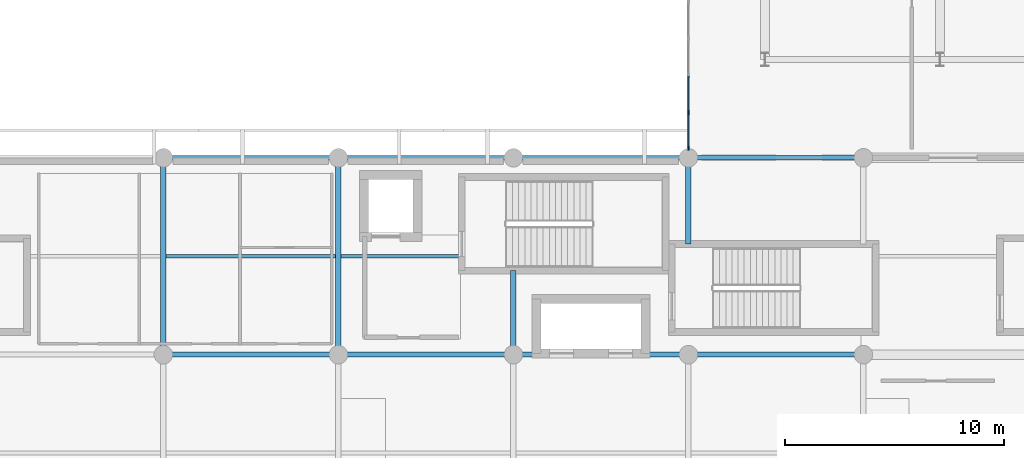
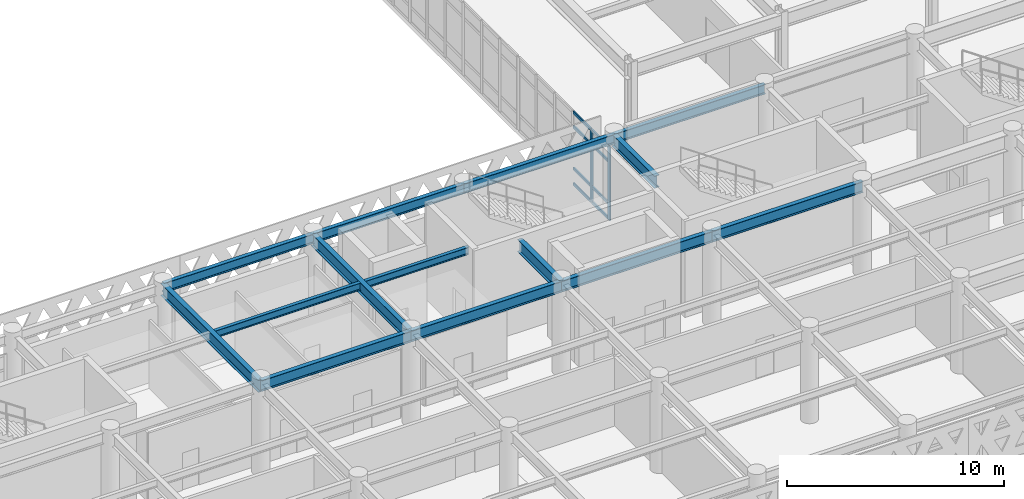
# One storey, part 22 of 84: 14 beams, 10 members, 1 element without a shape of its own.
"""IFC4 building model written with IfcOpenShell, lengths in metres."""

from ifc_helpers import new_model, si_unit, direction, frame, origin, origin_2d, place, context, subcontext, project, spatial, rectangle, i_section, extrude, material, layer, layer_set, material_profile, profile_set, type_object, element, aggregate, save


model = new_model("IFC4")

# Units and contexts
model_context = context("Model", 3, precision=1e-05, world=origin(), true_north=direction((0.0, 1.0)))
body_context = subcontext(model_context, "Body", "Model", "MODEL_VIEW")
ifc_project = project(units=[si_unit("LENGTHUNIT", "METRE"), si_unit("AREAUNIT", "SQUARE_METRE"), si_unit("VOLUMEUNIT", "CUBIC_METRE"), si_unit("PLANEANGLEUNIT", "RADIAN"), si_unit("MASSUNIT", "GRAM", prefix="KILO")], contexts=[model_context])

# Site, building, storey
site_placement = place(None, origin())
site = spatial("IfcSite", under=ifc_project, at=site_placement, CompositionType="ELEMENT")
building_placement = place(site_placement, origin())
building = spatial("IfcBuilding", under=site, at=building_placement, Name="Tlacozan Convention Centre", CompositionType="ELEMENT")
storey_placement = place(building_placement, frame((0.0, 0.0, 6.0)))
storey = spatial("IfcBuildingStorey", under=building, at=storey_placement, Name="L01", CompositionType="ELEMENT", Elevation=6.0)

# Curtain wall, members
ifc_material_1 = material(Name="Dark Bronze Anodised Aluminium", Category="aluminium")
ifc_layer = layer(ifc_material_1, 0.199951171875)
ifc_layer_set = layer_set([ifc_layer], Name="Dark Bronze Anodised Aluminium")
curtain_wall_type = type_object("IfcCurtainWallType", Name="Unitised Ballroom Cloister L01 CW08", PredefinedType="NOTDEFINED", material=ifc_layer_set)
curtain_wall_placement = place(storey_placement, origin())
curtain_wall = element("IfcCurtainWall", 1, at=curtain_wall_placement, inside=storey, type_object=curtain_wall_type, Name="L01 CW-08 Run 155", PredefinedType="NOTDEFINED")
ifc_material_profile_1 = material_profile(ifc_material_1, rectangle(XDim=0.074951171875, YDim=0.199951171875, at=origin_2d()), Name="ALU 75x200")
ifc_profile_set_1 = profile_set([ifc_material_profile_1], Name="Dark Bronze Anodised Aluminium")
member_type_1 = type_object("IfcMemberType", Name="Curtain Wall Heavy Mullion 75x200", PredefinedType="MULLION", material=ifc_profile_set_1)
member_1_placement = place(storey_placement, frame((88.0, 27.4375, 0.0), z_axis=(0.0, 0.0, 1.0), x_axis=(-1.0, 0.0, 0.0)))
member_1 = element("IfcMember", 2, at=member_1_placement, type_object=member_type_1, Name="CW-08 mullion 1", PredefinedType="MULLION", context=body_context, shape_type="SweptSolid", body=[
    extrude(rectangle(XDim=0.074951171875, YDim=0.199951171875, at=origin_2d()), origin(), (0.0, 0.0, 1.0), 4.10009765625),
])
member_2_placement = place(storey_placement, frame((88.0, 29.080078125, 0.0), z_axis=(0.0, 0.0, 1.0), x_axis=(-1.0, 0.0, 0.0)))
member_2 = element("IfcMember", 3, at=member_2_placement, type_object=member_type_1, Name="CW-08 mullion 2", PredefinedType="MULLION", context=body_context, shape_type="SweptSolid", body=[
    extrude(rectangle(XDim=0.074951171875, YDim=0.199951171875, at=origin_2d()), origin(), (0.0, 0.0, 1.0), 4.10009765625),
])
ifc_material_profile_2 = material_profile(ifc_material_1, rectangle(XDim=0.074951171875, YDim=0.14990234375, at=origin_2d()), Name="ALU 75x150")
ifc_profile_set_2 = profile_set([ifc_material_profile_2], Name="Dark Bronze Anodised Aluminium")
member_type_2 = type_object("IfcMemberType", Name="Curtain Wall Heavy Transom 75x150", PredefinedType="USERDEFINED", material=ifc_profile_set_2)
member_3_placement = place(storey_placement, frame((88.0, 27.47509765625, 0.03759765625), z_axis=(0.0, 1.0, 0.0), x_axis=(-1.0, 0.0, 0.0)))
member_3 = element("IfcMember", 4, at=member_3_placement, type_object=member_type_2, Name="CW-08 transom 1.1", ObjectType="TRANSOM", PredefinedType="USERDEFINED", context=body_context, shape_type="SweptSolid", body=[
    extrude(rectangle(XDim=0.074951171875, YDim=0.14990234375, at=origin_2d()), origin(), (0.0, 0.0, 1.0), 1.5673828125),
])
member_4_placement = place(storey_placement, frame((88.0, 27.47509765625, 0.89990234375), z_axis=(0.0, 1.0, 0.0), x_axis=(-1.0, 0.0, 0.0)))
member_4 = element("IfcMember", 5, at=member_4_placement, type_object=member_type_2, Name="CW-08 transom 1.2", ObjectType="TRANSOM", PredefinedType="USERDEFINED", context=body_context, shape_type="SweptSolid", body=[
    extrude(rectangle(XDim=0.074951171875, YDim=0.14990234375, at=origin_2d()), origin(), (0.0, 0.0, 1.0), 1.5673828125),
])
member_5_placement = place(storey_placement, frame((88.0, 27.47509765625, 3.25), z_axis=(0.0, 1.0, 0.0), x_axis=(-1.0, 0.0, 0.0)))
member_5 = element("IfcMember", 6, at=member_5_placement, type_object=member_type_2, Name="CW-08 transom 1.3", ObjectType="TRANSOM", PredefinedType="USERDEFINED", context=body_context, shape_type="SweptSolid", body=[
    extrude(rectangle(XDim=0.074951171875, YDim=0.14990234375, at=origin_2d()), origin(), (0.0, 0.0, 1.0), 1.5673828125),
])
member_6_placement = place(storey_placement, frame((88.0, 27.47509765625, 4.0625), z_axis=(0.0, 1.0, 0.0), x_axis=(-1.0, 0.0, 0.0)))
member_6 = element("IfcMember", 7, at=member_6_placement, type_object=member_type_2, Name="CW-08 transom 1.4", ObjectType="TRANSOM", PredefinedType="USERDEFINED", context=body_context, shape_type="SweptSolid", body=[
    extrude(rectangle(XDim=0.074951171875, YDim=0.14990234375, at=origin_2d()), origin(), (0.0, 0.0, 1.0), 1.5673828125),
])
member_7_placement = place(storey_placement, frame((88.0, 29.117431640625, 0.03759765625), z_axis=(0.0, 1.0, 0.0), x_axis=(-1.0, 0.0, 0.0)))
member_7 = element("IfcMember", 8, at=member_7_placement, type_object=member_type_2, Name="CW-08 transom 2.1", ObjectType="TRANSOM", PredefinedType="USERDEFINED", context=body_context, shape_type="SweptSolid", body=[
    extrude(rectangle(XDim=0.074951171875, YDim=0.14990234375, at=origin_2d()), origin(), (0.0, 0.0, 1.0), 1.60498046875),
])
member_8_placement = place(storey_placement, frame((88.0, 29.117431640625, 0.89990234375), z_axis=(0.0, 1.0, 0.0), x_axis=(-1.0, 0.0, 0.0)))
member_8 = element("IfcMember", 9, at=member_8_placement, type_object=member_type_2, Name="CW-08 transom 2.2", ObjectType="TRANSOM", PredefinedType="USERDEFINED", context=body_context, shape_type="SweptSolid", body=[
    extrude(rectangle(XDim=0.074951171875, YDim=0.14990234375, at=origin_2d()), origin(), (0.0, 0.0, 1.0), 1.60498046875),
])
member_9_placement = place(storey_placement, frame((88.0, 29.117431640625, 3.25), z_axis=(0.0, 1.0, 0.0), x_axis=(-1.0, 0.0, 0.0)))
member_9 = element("IfcMember", 10, at=member_9_placement, type_object=member_type_2, Name="CW-08 transom 2.3", ObjectType="TRANSOM", PredefinedType="USERDEFINED", context=body_context, shape_type="SweptSolid", body=[
    extrude(rectangle(XDim=0.074951171875, YDim=0.14990234375, at=origin_2d()), origin(), (0.0, 0.0, 1.0), 1.60498046875),
])
member_10_placement = place(storey_placement, frame((88.0, 29.117431640625, 4.0625), z_axis=(0.0, 1.0, 0.0), x_axis=(-1.0, 0.0, 0.0)))
member_10 = element("IfcMember", 11, at=member_10_placement, type_object=member_type_2, Name="CW-08 transom 2.4", ObjectType="TRANSOM", PredefinedType="USERDEFINED", context=body_context, shape_type="SweptSolid", body=[
    extrude(rectangle(XDim=0.074951171875, YDim=0.14990234375, at=origin_2d()), origin(), (0.0, 0.0, 1.0), 1.60498046875),
])
aggregate(curtain_wall, [member_1, member_2, member_3, member_4, member_5, member_6, member_7, member_8, member_9, member_10])

# Beams
ifc_material_2 = material(Name="Steel ASTM A992 Grade 50", Category="steel")
ifc_material_profile_3 = material_profile(ifc_material_2, i_section(OverallWidth=0.22900390625, OverallDepth=0.612060546875, WebThickness=0.011962890625, FlangeThickness=0.01953125, FilletRadius=0.012939453125, at=origin_2d()), Name="IR 610x125.0")
ifc_profile_set_3 = profile_set([ifc_material_profile_3], Name="Steel ASTM A992 Grade 50")
beam_type_1 = type_object("IfcBeamType", Name="Floor Beam IR 610x125", PredefinedType="BEAM", material=ifc_profile_set_3)
for number, where, z_axis, x_axis, name in (
    (12, (64.0, 18.0, 4.833984375), (1.0, 0.0, 0.0), (0.0, 1.0, 0.0), "L01 Floor Beam IR 610x125 349"),
    (13, (72.0, 18.0, 4.833984375), (1.0, 0.0, 0.0), (0.0, 1.0, 0.0), "L01 Floor Beam IR 610x125 353"),
    (14, (80.0, 18.0, 4.833984375), (1.0, 0.0, 0.0), (0.0, 1.0, 0.0), "L01 Floor Beam IR 610x125 357"),
    (15, (88.0, 18.0, 4.833984375), (1.0, 0.0, 0.0), (0.0, 1.0, 0.0), "L01 Floor Beam IR 610x125 361"),
):
    element("IfcBeam", number, at=place(storey_placement, frame(where, z_axis=z_axis, x_axis=x_axis)), inside=storey, type_object=beam_type_1, Name=name, PredefinedType="BEAM", context=body_context, shape_type="SweptSolid", body=[
        extrude(i_section(OverallWidth=0.22900390625, OverallDepth=0.612060546875, WebThickness=0.011962890625, FlangeThickness=0.01953125, FilletRadius=0.012939453125, at=origin_2d()), origin(), (0.0, 0.0, 1.0), 8.0),
    ])
ifc_material_profile_4 = material_profile(ifc_material_2, i_section(OverallWidth=0.256103515625, OverallDepth=0.693115234375, WebThickness=0.014404296875, FlangeThickness=0.023681640625, FilletRadius=0.014892578125, at=origin_2d()), Name="IR 686x170.0")
ifc_profile_set_4 = profile_set([ifc_material_profile_4], Name="Steel ASTM A992 Grade 50")
beam_type_2 = type_object("IfcBeamType", Name="Girder Steel IR 686x170", PredefinedType="BEAM", material=ifc_profile_set_4)
for number, where, z_axis, x_axis, name in (
    (16, (64.0, 18.0, 4.79345703125), (0.0, 1.0, 0.0), (-1.0, 0.0, 0.0), "L01 Girder Steel IR 686x170 286"),
    (17, (72.0, 18.0, 4.79345703125), (0.0, 1.0, 0.0), (-1.0, 0.0, 0.0), "L01 Girder Steel IR 686x170 289"),
):
    element("IfcBeam", number, at=place(storey_placement, frame(where, z_axis=z_axis, x_axis=x_axis)), inside=storey, type_object=beam_type_2, Name=name, PredefinedType="BEAM", context=body_context, shape_type="SweptSolid", body=[
        extrude(i_section(OverallWidth=0.256103515625, OverallDepth=0.693115234375, WebThickness=0.014404296875, FlangeThickness=0.023681640625, FilletRadius=0.014892578125, at=origin_2d()), origin(), (0.0, 0.0, 1.0), 9.0),
    ])
beam_1_placement = place(storey_placement, frame((80.0, 18.0, 4.79345703125), z_axis=(0.0, 1.0, 0.0), x_axis=(-1.0, 0.0, 0.0)))
element("IfcBeam", 18, at=beam_1_placement, inside=storey, type_object=beam_type_2, Name="L01 Girder Steel IR 686x170 292", PredefinedType="BEAM", context=body_context, shape_type="SweptSolid", body=[
    extrude(i_section(OverallWidth=0.256103515625, OverallDepth=0.693115234375, WebThickness=0.014404296875, FlangeThickness=0.023681640625, FilletRadius=0.014892578125, at=origin_2d()), origin(), (0.0, 0.0, 1.0), 3.840087890625),
])
beam_2_placement = place(storey_placement, frame((88.0, 23.06005859375, 4.79345703125), z_axis=(0.0, 1.0, 0.0), x_axis=(-1.0, 0.0, 0.0)))
element("IfcBeam", 19, at=beam_2_placement, inside=storey, type_object=beam_type_2, Name="L01 Girder Steel IR 686x170 295", PredefinedType="BEAM", context=body_context, shape_type="SweptSolid", body=[
    extrude(i_section(OverallWidth=0.256103515625, OverallDepth=0.693115234375, WebThickness=0.014404296875, FlangeThickness=0.023681640625, FilletRadius=0.014892578125, at=origin_2d()), origin(), (0.0, 0.0, 1.0), 3.93994140625),
])
ifc_material_profile_5 = material_profile(ifc_material_2, i_section(OverallWidth=0.2109375, OverallDepth=0.5390625, WebThickness=0.01171875, FlangeThickness=0.018798828125, FilletRadius=0.012939453125, at=origin_2d()), Name="IR 533x109.0")
ifc_profile_set_5 = profile_set([ifc_material_profile_5], Name="Steel ASTM A992 Grade 50")
beam_type_3 = type_object("IfcBeamType", Name="Perimeter Spandrel IR 533x109", PredefinedType="SPANDREL", material=ifc_profile_set_5)
for number, where, z_axis, x_axis, name in (
    (20, (64.0, 27.0, 4.87060546875), (1.0, 0.0, 0.0), (0.0, 1.0, 0.0), "L01 Perimeter Spandrel IR 533x109 350"),
    (21, (72.0, 27.0, 4.87060546875), (1.0, 0.0, 0.0), (0.0, 1.0, 0.0), "L01 Perimeter Spandrel IR 533x109 354"),
    (22, (80.0, 27.0, 4.87060546875), (1.0, 0.0, 0.0), (0.0, 1.0, 0.0), "L01 Perimeter Spandrel IR 533x109 358"),
    (23, (88.0, 27.0, 4.87060546875), (1.0, 0.0, 0.0), (0.0, 1.0, 0.0), "L01 Perimeter Spandrel IR 533x109 362"),
):
    element("IfcBeam", number, at=place(storey_placement, frame(where, z_axis=z_axis, x_axis=x_axis)), inside=storey, type_object=beam_type_3, Name=name, PredefinedType="SPANDREL", context=body_context, shape_type="SweptSolid", body=[
        extrude(i_section(OverallWidth=0.2109375, OverallDepth=0.5390625, WebThickness=0.01171875, FlangeThickness=0.018798828125, FilletRadius=0.012939453125, at=origin_2d()), origin(), (0.0, 0.0, 1.0), 8.0),
    ])
ifc_material_profile_6 = material_profile(ifc_material_2, i_section(OverallWidth=0.179931640625, OverallDepth=0.4130859375, WebThickness=0.009765625, FlangeThickness=0.01611328125, FilletRadius=0.010986328125, at=origin_2d()), Name="IR 406x74.4")
ifc_profile_set_6 = profile_set([ifc_material_profile_6], Name="Steel ASTM A992 Grade 50")
beam_type_4 = type_object("IfcBeamType", Name="Secondary Joist IR 406x74.4", PredefinedType="JOIST", material=ifc_profile_set_6)
beam_3_placement = place(storey_placement, frame((64.1259765625, 22.5, 4.93359375), z_axis=(1.0, 0.0, 0.0), x_axis=(0.0, 1.0, 0.0)))
element("IfcBeam", 24, at=beam_3_placement, inside=storey, type_object=beam_type_4, Name="L01 Secondary Joist IR 406x74.4 384", PredefinedType="JOIST", context=body_context, shape_type="SweptSolid", body=[
    extrude(i_section(OverallWidth=0.179931640625, OverallDepth=0.4130859375, WebThickness=0.009765625, FlangeThickness=0.01611328125, FilletRadius=0.010986328125, at=origin_2d()), origin(), (0.0, 0.0, 1.0), 7.748046875),
])
beam_4_placement = place(storey_placement, frame((72.1259765625, 22.5, 4.93359375), z_axis=(1.0, 0.0, 0.0), x_axis=(0.0, 1.0, 0.0)))
element("IfcBeam", 25, at=beam_4_placement, inside=storey, type_object=beam_type_4, Name="L01 Secondary Joist IR 406x74.4 387", PredefinedType="JOIST", context=body_context, shape_type="SweptSolid", body=[
    extrude(i_section(OverallWidth=0.179931640625, OverallDepth=0.4130859375, WebThickness=0.009765625, FlangeThickness=0.01611328125, FilletRadius=0.010986328125, at=origin_2d()), origin(), (0.0, 0.0, 1.0), 5.513916015625),
])

save(model, "model.ifc")
